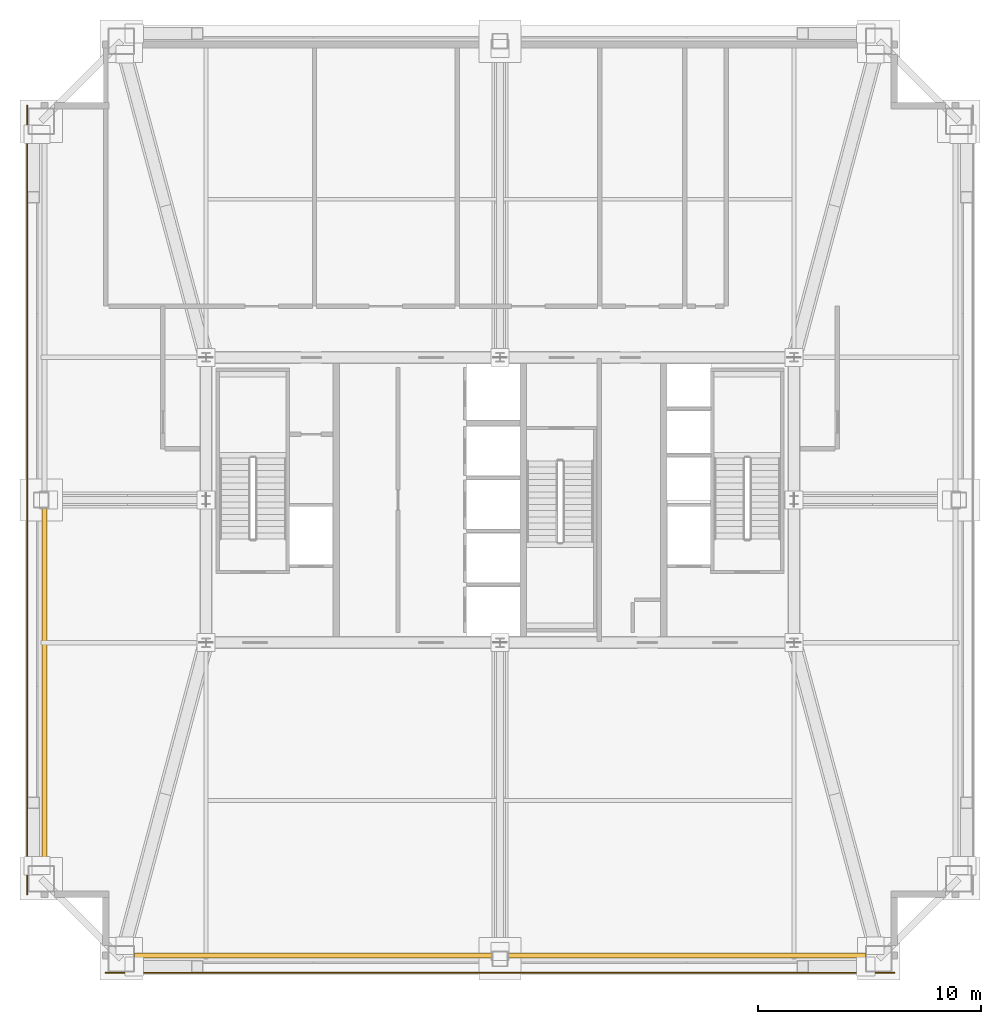
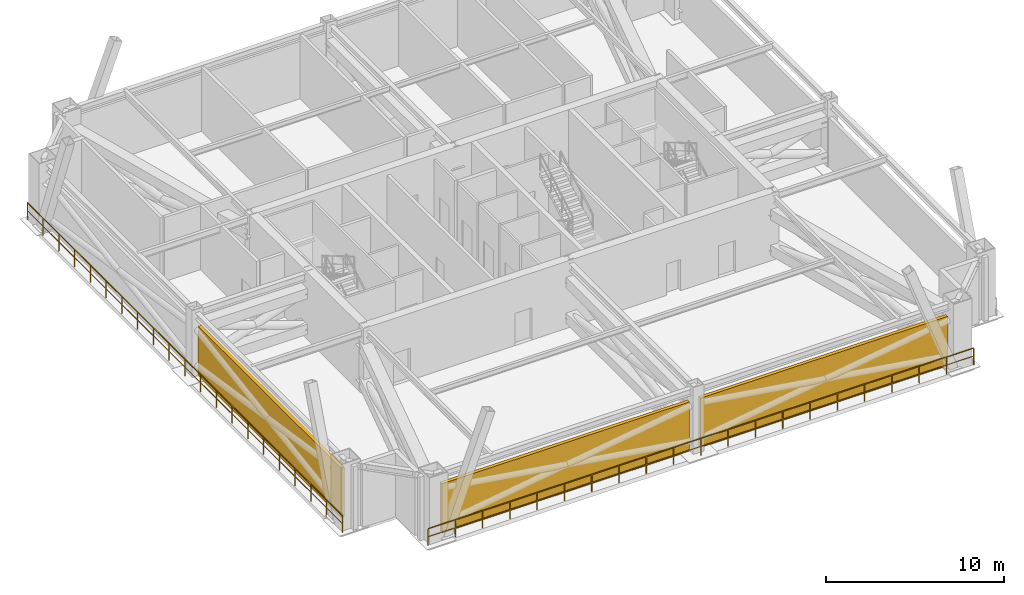
# One storey, part 7 of 9: 3 shading devices, 2 railings.
"""IFC4 building model written with IfcOpenShell, lengths in metres."""

from ifc_helpers import new_model, si_unit, direction, frame, origin, origin_2d, place, context, subcontext, project, spatial, rectangle, extrude, source, transform, mapped, material, layer, layer_set, type_object, element, save


model = new_model("IFC4")

# Units and contexts
model_context = context("Model", 3, precision=1e-05, world=origin(), true_north=direction((0.0, 1.0)))
body_context = subcontext(model_context, "Body", "Model", "MODEL_VIEW")
ifc_project = project(units=[si_unit("LENGTHUNIT", "METRE"), si_unit("AREAUNIT", "SQUARE_METRE"), si_unit("VOLUMEUNIT", "CUBIC_METRE"), si_unit("PLANEANGLEUNIT", "RADIAN"), si_unit("MASSUNIT", "GRAM", prefix="KILO"), si_unit("THERMODYNAMICTEMPERATUREUNIT", "KELVIN"), si_unit("POWERUNIT", "WATT")], contexts=[model_context])

# Site, building, storey
site_placement = place(None, origin())
site = spatial("IfcSite", under=ifc_project, at=site_placement, CompositionType="ELEMENT")
building_placement = place(site_placement, origin())
building = spatial("IfcBuilding", under=site, at=building_placement, Name="Yuzanri Waterfront Tower", CompositionType="ELEMENT")
storey_placement = place(building_placement, frame((0.0, 0.0, 219.5)))
storey = spatial("IfcBuildingStorey", under=building, at=storey_placement, Name="L58", CompositionType="ELEMENT", Elevation=219.5)

# Shading devices
ifc_material_1 = material(Name="Anodized Architectural Bronze", Category="metal")
ifc_layer_1 = layer(ifc_material_1, 0.219970703125)
ifc_layer_set_1 = layer_set([ifc_layer_1], Name="Anodized Architectural Bronze")
shading_device_type = type_object("IfcShadingDeviceType", Name="Anodized Bronze Refuge Wind-Diffusing Louvre Screen 220", PredefinedType="USERDEFINED", material=ifc_layer_set_1)
shared_shape_1 = source(origin(), body_context, "Body", "SweptSolid", [
    extrude(rectangle(XDim=16.050048828125, YDim=0.219970703125, at=origin_2d()), origin(), (0.0, 0.0, 1.0), 3.39990234375),
])
for number, where, z_axis, x_axis, name in (
    (1, (28.625, 5.35009765625, 0.0), (0.0, 0.0, 1.0), (1.0, 0.0, 0.0), "L58 Wind-Diffusing Refuge Louvre SL"),
    (2, (45.375, 5.35009765625, 0.0), (0.0, 0.0, 1.0), (1.0, 0.0, 0.0), "L58 Wind-Diffusing Refuge Louvre SR"),
):
    element("IfcShadingDevice", number, at=place(storey_placement, frame(where, z_axis=z_axis, x_axis=x_axis)), inside=storey, type_object=shading_device_type, Name=name, ObjectType="LOUVRE", PredefinedType="USERDEFINED", context=body_context, shape_type="MappedRepresentation", body=[
        mapped(shared_shape_1, transform((0.0, 0.0, 0.0), scale=1.0)),
    ])
shared_shape_2 = source(origin(), body_context, "Body", "SweptSolid", [
    extrude(rectangle(XDim=0.219970703125, YDim=16.050048828125, at=origin_2d()), origin(), (0.0, 0.0, 1.0), 3.39990234375),
])
shading_device_placement = place(storey_placement, frame((16.550048828125, 17.425048828125, 0.0), z_axis=(0.0, 0.0, 1.0), x_axis=(1.0, 0.0, 0.0)))
element("IfcShadingDevice", 3, at=shading_device_placement, inside=storey, type_object=shading_device_type, Name="L58 Wind-Diffusing Refuge Louvre WL", ObjectType="LOUVRE", PredefinedType="USERDEFINED", context=body_context, shape_type="MappedRepresentation", body=[
    mapped(shared_shape_2, transform((0.0, 0.0, 0.0), scale=1.0)),
])

# Railings
ifc_material_2 = material(Name="Anodized Architectural Bronze", Category="metal")
ifc_layer_2 = layer(ifc_material_2, 0.080078125)
ifc_layer_set_2 = layer_set([ifc_layer_2], Name="Anodized Architectural Bronze")
railing_type = type_object("IfcRailingType", Name="Laminated Glass and Bronze Balcony Guardrail 1200", PredefinedType="BALUSTRADE", material=ifc_layer_set_2)
shared_shape_3 = source(origin(), body_context, "Body", "SweptSolid", [
    extrude(rectangle(XDim=0.050048828125, YDim=0.050048828125, at=origin_2d()), frame((0.0, 0.0, 1.1748046875), z_axis=(1.0, 0.0, 0.0), x_axis=(0.0, 1.0, 0.0)), (0.0, 0.0, 1.0), 35.39990234375),
    extrude(rectangle(XDim=0.035888671875, YDim=0.030029296875, at=origin_2d()), frame((0.0, 0.0, 0.6240234375), z_axis=(1.0, 0.0, 0.0), x_axis=(0.0, 1.0, 0.0)), (0.0, 0.0, 1.0), 35.39990234375),
    extrude(rectangle(XDim=0.0458984375, YDim=0.0458984375, at=origin_2d()), origin(), (0.0, 0.0, 1.0), 1.14990234375),
    extrude(rectangle(XDim=0.0458984375, YDim=0.0458984375, at=origin_2d()), frame((1.77001953125, 0.0, 0.0)), (0.0, 0.0, 1.0), 1.14990234375),
    extrude(rectangle(XDim=0.0458984375, YDim=0.0458984375, at=origin_2d()), frame((3.5400390625, 0.0, 0.0)), (0.0, 0.0, 1.0), 1.14990234375),
    extrude(rectangle(XDim=0.0458984375, YDim=0.0458984375, at=origin_2d()), frame((5.31005859375, 0.0, 0.0)), (0.0, 0.0, 1.0), 1.14990234375),
    extrude(rectangle(XDim=0.0458984375, YDim=0.0458984375, at=origin_2d()), frame((7.080078125, 0.0, 0.0)), (0.0, 0.0, 1.0), 1.14990234375),
    extrude(rectangle(XDim=0.0458984375, YDim=0.0458984375, at=origin_2d()), frame((8.85009765625, 0.0, 0.0)), (0.0, 0.0, 1.0), 1.14990234375),
    extrude(rectangle(XDim=0.0458984375, YDim=0.0458984375, at=origin_2d()), frame((10.619873046875, 0.0, 0.0)), (0.0, 0.0, 1.0), 1.14990234375),
    extrude(rectangle(XDim=0.0458984375, YDim=0.0458984375, at=origin_2d()), frame((12.389892578125, 0.0, 0.0)), (0.0, 0.0, 1.0), 1.14990234375),
    extrude(rectangle(XDim=0.0458984375, YDim=0.0458984375, at=origin_2d()), frame((14.159912109375, 0.0, 0.0)), (0.0, 0.0, 1.0), 1.14990234375),
    extrude(rectangle(XDim=0.0458984375, YDim=0.0458984375, at=origin_2d()), frame((15.929931640625, 0.0, 0.0)), (0.0, 0.0, 1.0), 1.14990234375),
    extrude(rectangle(XDim=0.0458984375, YDim=0.0458984375, at=origin_2d()), frame((17.699951171875, 0.0, 0.0)), (0.0, 0.0, 1.0), 1.14990234375),
    extrude(rectangle(XDim=0.0458984375, YDim=0.0458984375, at=origin_2d()), frame((19.469970703125, 0.0, 0.0)), (0.0, 0.0, 1.0), 1.14990234375),
    extrude(rectangle(XDim=0.0458984375, YDim=0.0458984375, at=origin_2d()), frame((21.239990234375, 0.0, 0.0)), (0.0, 0.0, 1.0), 1.14990234375),
    extrude(rectangle(XDim=0.0458984375, YDim=0.0458984375, at=origin_2d()), frame((23.010009765625, 0.0, 0.0)), (0.0, 0.0, 1.0), 1.14990234375),
    extrude(rectangle(XDim=0.0458984375, YDim=0.0458984375, at=origin_2d()), frame((24.780029296875, 0.0, 0.0)), (0.0, 0.0, 1.0), 1.14990234375),
    extrude(rectangle(XDim=0.0458984375, YDim=0.0458984375, at=origin_2d()), frame((26.5498046875, 0.0, 0.0)), (0.0, 0.0, 1.0), 1.14990234375),
    extrude(rectangle(XDim=0.0458984375, YDim=0.0458984375, at=origin_2d()), frame((28.31982421875, 0.0, 0.0)), (0.0, 0.0, 1.0), 1.14990234375),
    extrude(rectangle(XDim=0.0458984375, YDim=0.0458984375, at=origin_2d()), frame((30.08984375, 0.0, 0.0)), (0.0, 0.0, 1.0), 1.14990234375),
    extrude(rectangle(XDim=0.0458984375, YDim=0.0458984375, at=origin_2d()), frame((31.85986328125, 0.0, 0.0)), (0.0, 0.0, 1.0), 1.14990234375),
    extrude(rectangle(XDim=0.0458984375, YDim=0.0458984375, at=origin_2d()), frame((33.6298828125, 0.0, 0.0)), (0.0, 0.0, 1.0), 1.14990234375),
    extrude(rectangle(XDim=0.0458984375, YDim=0.0458984375, at=origin_2d()), frame((35.39990234375, 0.0, 0.0)), (0.0, 0.0, 1.0), 1.14990234375),
])
railing_1_placement = place(storey_placement, frame((19.300048828125, 4.580078125, 0.0)))
element("IfcRailing", 4, at=railing_1_placement, inside=storey, type_object=railing_type, Name="L58 South Refuge Edge Guard", PredefinedType="BALUSTRADE", context=body_context, shape_type="MappedRepresentation", body=[
    mapped(shared_shape_3, transform((0.0, 0.0, 0.0), scale=1.0)),
])
shared_shape_4 = source(origin(), body_context, "Body", "SweptSolid", [
    extrude(rectangle(XDim=0.050048828125, YDim=0.050048828125, at=origin_2d()), frame((0.0, 0.0, 1.1748046875), z_axis=(0.0, 1.0, 0.0), x_axis=(-1.0, 0.0, 0.0)), (0.0, 0.0, 1.0), 35.39990234375),
    extrude(rectangle(XDim=0.035888671875, YDim=0.030029296875, at=origin_2d()), frame((0.0, 0.0, 0.6240234375), z_axis=(0.0, 1.0, 0.0), x_axis=(-1.0, 0.0, 0.0)), (0.0, 0.0, 1.0), 35.39990234375),
    extrude(rectangle(XDim=0.0458984375, YDim=0.0458984375, at=origin_2d()), origin(), (0.0, 0.0, 1.0), 1.14990234375),
    extrude(rectangle(XDim=0.0458984375, YDim=0.0458984375, at=origin_2d()), frame((0.0, 1.77001953125, 0.0)), (0.0, 0.0, 1.0), 1.14990234375),
    extrude(rectangle(XDim=0.0458984375, YDim=0.0458984375, at=origin_2d()), frame((0.0, 3.5400390625, 0.0)), (0.0, 0.0, 1.0), 1.14990234375),
    extrude(rectangle(XDim=0.0458984375, YDim=0.0458984375, at=origin_2d()), frame((0.0, 5.31005859375, 0.0)), (0.0, 0.0, 1.0), 1.14990234375),
    extrude(rectangle(XDim=0.0458984375, YDim=0.0458984375, at=origin_2d()), frame((0.0, 7.080078125, 0.0)), (0.0, 0.0, 1.0), 1.14990234375),
    extrude(rectangle(XDim=0.0458984375, YDim=0.0458984375, at=origin_2d()), frame((0.0, 8.85009765625, 0.0)), (0.0, 0.0, 1.0), 1.14990234375),
    extrude(rectangle(XDim=0.0458984375, YDim=0.0458984375, at=origin_2d()), frame((0.0, 10.619873046875, 0.0)), (0.0, 0.0, 1.0), 1.14990234375),
    extrude(rectangle(XDim=0.0458984375, YDim=0.0458984375, at=origin_2d()), frame((0.0, 12.389892578125, 0.0)), (0.0, 0.0, 1.0), 1.14990234375),
    extrude(rectangle(XDim=0.0458984375, YDim=0.0458984375, at=origin_2d()), frame((0.0, 14.159912109375, 0.0)), (0.0, 0.0, 1.0), 1.14990234375),
    extrude(rectangle(XDim=0.0458984375, YDim=0.0458984375, at=origin_2d()), frame((0.0, 15.929931640625, 0.0)), (0.0, 0.0, 1.0), 1.14990234375),
    extrude(rectangle(XDim=0.0458984375, YDim=0.0458984375, at=origin_2d()), frame((0.0, 17.699951171875, 0.0)), (0.0, 0.0, 1.0), 1.14990234375),
    extrude(rectangle(XDim=0.0458984375, YDim=0.0458984375, at=origin_2d()), frame((0.0, 19.469970703125, 0.0)), (0.0, 0.0, 1.0), 1.14990234375),
    extrude(rectangle(XDim=0.0458984375, YDim=0.0458984375, at=origin_2d()), frame((0.0, 21.239990234375, 0.0)), (0.0, 0.0, 1.0), 1.14990234375),
    extrude(rectangle(XDim=0.0458984375, YDim=0.0458984375, at=origin_2d()), frame((0.0, 23.010009765625, 0.0)), (0.0, 0.0, 1.0), 1.14990234375),
    extrude(rectangle(XDim=0.0458984375, YDim=0.0458984375, at=origin_2d()), frame((0.0, 24.780029296875, 0.0)), (0.0, 0.0, 1.0), 1.14990234375),
    extrude(rectangle(XDim=0.0458984375, YDim=0.0458984375, at=origin_2d()), frame((0.0, 26.5498046875, 0.0)), (0.0, 0.0, 1.0), 1.14990234375),
    extrude(rectangle(XDim=0.0458984375, YDim=0.0458984375, at=origin_2d()), frame((0.0, 28.31982421875, 0.0)), (0.0, 0.0, 1.0), 1.14990234375),
    extrude(rectangle(XDim=0.0458984375, YDim=0.0458984375, at=origin_2d()), frame((0.0, 30.08984375, 0.0)), (0.0, 0.0, 1.0), 1.14990234375),
    extrude(rectangle(XDim=0.0458984375, YDim=0.0458984375, at=origin_2d()), frame((0.0, 31.85986328125, 0.0)), (0.0, 0.0, 1.0), 1.14990234375),
    extrude(rectangle(XDim=0.0458984375, YDim=0.0458984375, at=origin_2d()), frame((0.0, 33.6298828125, 0.0)), (0.0, 0.0, 1.0), 1.14990234375),
    extrude(rectangle(XDim=0.0458984375, YDim=0.0458984375, at=origin_2d()), frame((0.0, 35.39990234375, 0.0)), (0.0, 0.0, 1.0), 1.14990234375),
])
railing_2_placement = place(storey_placement, frame((15.780029296875, 8.10009765625, 0.0)))
element("IfcRailing", 5, at=railing_2_placement, inside=storey, type_object=railing_type, Name="L58 West Refuge Edge Guard", PredefinedType="BALUSTRADE", context=body_context, shape_type="MappedRepresentation", body=[
    mapped(shared_shape_4, transform((0.0, 0.0, 0.0), scale=1.0)),
])

save(model, "model.ifc")
